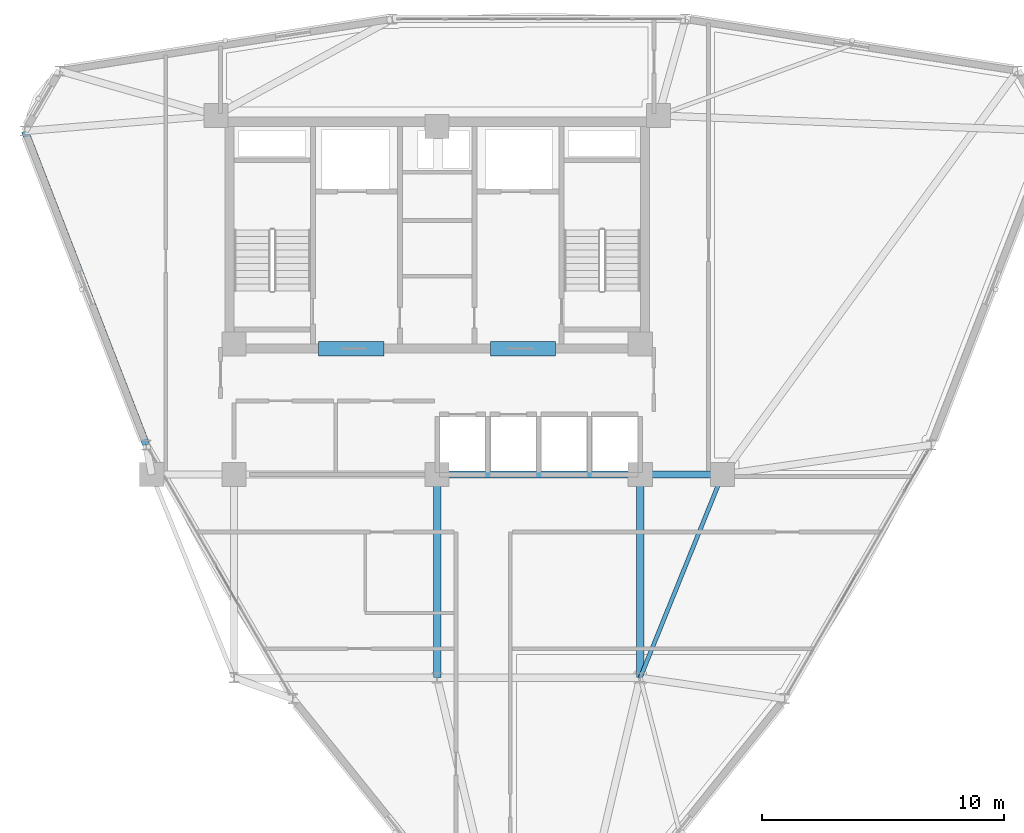
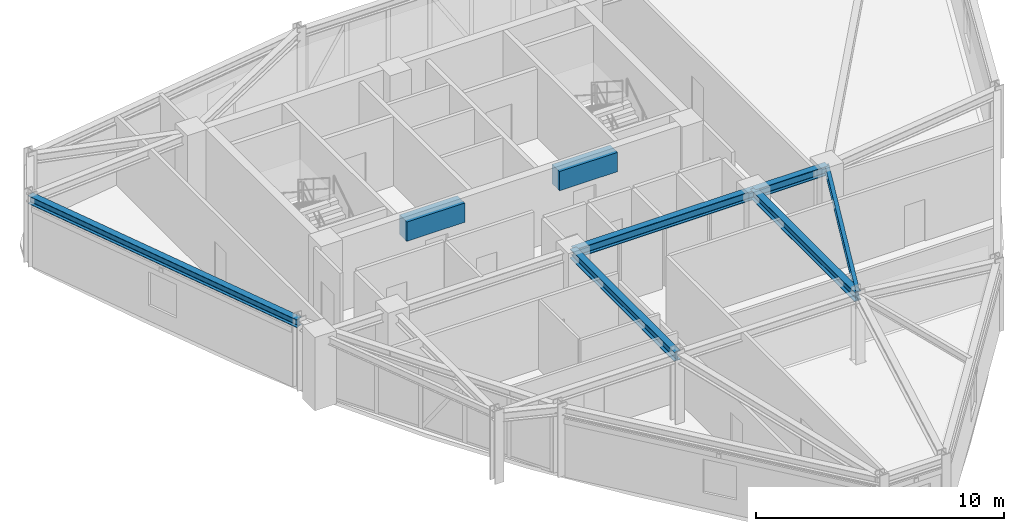
# One storey, part 6 of 16: 8 beams.
"""IFC4 building model written with IfcOpenShell, lengths in metres."""

from ifc_helpers import new_model, si_unit, derived_unit, direction, frame, origin, origin_2d, place, context, subcontext, project, spatial, rectangle, i_section, extrude, source, transform, mapped, material, material_profile, profile_set, type_object, element, save


model = new_model("IFC4")

# Units and contexts
model_context = context("Model", 3, precision=1e-05, world=origin(), true_north=direction((0.0, 1.0)))
body_context = subcontext(model_context, "Body", "Model", "MODEL_VIEW")
ifc_project = project(units=[si_unit("LENGTHUNIT", "METRE"), si_unit("AREAUNIT", "SQUARE_METRE"), si_unit("VOLUMEUNIT", "CUBIC_METRE"), si_unit("PLANEANGLEUNIT", "RADIAN"), si_unit("MASSUNIT", "GRAM", prefix="KILO"), derived_unit("THERMALTRANSMITTANCEUNIT", [(si_unit("POWERUNIT", "WATT"), 1), (si_unit("LENGTHUNIT", "METRE"), -2), (si_unit("THERMODYNAMICTEMPERATUREUNIT", "KELVIN"), -1)])], contexts=[model_context])

# Site, building, storey
site_placement = place(None, origin())
site = spatial("IfcSite", under=ifc_project, at=site_placement, CompositionType="ELEMENT")
building_placement = place(site_placement, origin())
building = spatial("IfcBuilding", under=site, at=building_placement, Name="Korsvarv Bourse and Concert Hall", CompositionType="ELEMENT")
storey_placement = place(building_placement, frame((0.0, 0.0, 231.0)))
storey = spatial("IfcBuildingStorey", under=building, at=storey_placement, Name="L60", CompositionType="ELEMENT", Elevation=231.0)

# Beams
ifc_material_1 = material(Name="Concrete C55/67", Category="concrete")
ifc_material_profile_1 = material_profile(ifc_material_1, rectangle(XDim=0.60009765625, YDim=0.949951171875, at=origin_2d()), Name="RC-BM 600x950")
ifc_profile_set_1 = profile_set([ifc_material_profile_1], Name="Concrete C55/67")
beam_type_1 = type_object("IfcBeamType", Name="BM-CPL", PredefinedType="LINTEL", material=ifc_profile_set_1)
shared_shape_1 = source(origin(), body_context, "Body", "SweptSolid", [
    extrude(rectangle(XDim=0.60009765625, YDim=0.949951171875, at=origin_2d()), origin(), (0.0, 0.0, 1.0), 2.699951171875),
])
for number, where, z_axis, x_axis, name in (
    (1, (31.10009765625, 37.610107421875, 2.93505859375), (1.0, 0.0, 0.0), (0.0, 1.0, 0.0), "L60 Core Coupling Beam West"),
    (2, (38.199951171875, 37.610107421875, 2.93505859375), (1.0, 0.0, 0.0), (0.0, 1.0, 0.0), "L60 Core Coupling Beam East"),
):
    element("IfcBeam", number, at=place(storey_placement, frame(where, z_axis=z_axis, x_axis=x_axis)), inside=storey, type_object=beam_type_1, Name=name, PredefinedType="LINTEL", context=body_context, shape_type="MappedRepresentation", body=[
        mapped(shared_shape_1, transform((0.0, 0.0, 0.0), scale=1.0)),
    ])
ifc_material_2 = material(Name="Steel S355", Category="steel")
ifc_material_profile_2 = material_profile(ifc_material_2, i_section(OverallWidth=0.169921875, OverallDepth=0.360107421875, WebThickness=0.008056640625, FlangeThickness=0.0126953125, FilletRadius=0.01806640625, at=origin_2d()), Name="IPE 360")
ifc_profile_set_2 = profile_set([ifc_material_profile_2], Name="Steel S355")
beam_type_2 = type_object("IfcBeamType", Name="BM-IPE360", PredefinedType="JOIST", material=ifc_profile_set_2)
shared_shape_2 = source(origin(), body_context, "Body", "SweptSolid", [
    extrude(i_section(OverallWidth=0.169921875, OverallDepth=0.360107421875, WebThickness=0.008056640625, FlangeThickness=0.0126953125, FilletRadius=0.01806640625, at=origin_2d()), origin(), (0.0, 0.0, 1.0), 9.06201171875),
])
beam_1_placement = place(storey_placement, frame((47.800048828125, 32.39990234375, 3.22998046875), z_axis=(-0.375210394783, -0.926939674222, 0.0), x_axis=(0.926939674222, -0.375210394783, 0.0)))
element("IfcBeam", 3, at=beam_1_placement, inside=storey, type_object=beam_type_2, Name="L60 beam J-06", PredefinedType="JOIST", context=body_context, shape_type="MappedRepresentation", body=[
    mapped(shared_shape_2, transform((0.0, 0.0, 0.0), scale=1.0)),
])
ifc_material_profile_3 = material_profile(ifc_material_2, i_section(OverallWidth=0.300048828125, OverallDepth=0.449951171875, WebThickness=0.013916015625, FlangeThickness=0.02587890625, FilletRadius=0.02099609375, at=origin_2d()), Name="HEB 450")
ifc_profile_set_3 = profile_set([ifc_material_profile_3], Name="Steel S355")
beam_type_3 = type_object("IfcBeamType", Name="BM-HEB450", PredefinedType="SPANDREL", material=ifc_profile_set_3)
shared_shape_3 = source(origin(), body_context, "Body", "SweptSolid", [
    extrude(i_section(OverallWidth=0.300048828125, OverallDepth=0.449951171875, WebThickness=0.013916015625, FlangeThickness=0.02587890625, FilletRadius=0.02099609375, at=origin_2d()), origin(), (0.0, 0.0, 1.0), 3.400146484375),
])
beam_2_placement = place(storey_placement, frame((44.39990234375, 32.39990234375, 3.18505859375), z_axis=(1.0, 0.0, 0.0), x_axis=(0.0, 1.0, 0.0)))
element("IfcBeam", 4, at=beam_2_placement, inside=storey, type_object=beam_type_3, Name="L60 beam B-08", PredefinedType="SPANDREL", context=body_context, shape_type="MappedRepresentation", body=[
    mapped(shared_shape_3, transform((0.0, 0.0, 0.0), scale=1.0)),
])
shared_shape_4 = source(origin(), body_context, "Body", "SweptSolid", [
    extrude(i_section(OverallWidth=0.300048828125, OverallDepth=0.449951171875, WebThickness=0.013916015625, FlangeThickness=0.02587890625, FilletRadius=0.02099609375, at=origin_2d()), origin(), (0.0, 0.0, 1.0), 8.39990234375),
])
for number, where, z_axis, x_axis, name in (
    (5, (36.0, 32.39990234375, 3.18505859375), (1.0, 0.0, 0.0), (0.0, 1.0, 0.0), "L60 beam B-08"),
    (6, (36.0, 24.0, 3.18505859375), (0.0, 1.0, 0.0), (-1.0, 0.0, 0.0), "L60 beam B-08"),
    (7, (44.39990234375, 24.0, 3.18505859375), (0.0, 1.0, 0.0), (-1.0, 0.0, 0.0), "L60 beam B-08"),
):
    element("IfcBeam", number, at=place(storey_placement, frame(where, z_axis=z_axis, x_axis=x_axis)), inside=storey, type_object=beam_type_3, Name=name, PredefinedType="SPANDREL", context=body_context, shape_type="MappedRepresentation", body=[
        mapped(shared_shape_4, transform((0.0, 0.0, 0.0), scale=1.0)),
    ])
ifc_material_profile_4 = material_profile(ifc_material_2, i_section(OverallWidth=0.300048828125, OverallDepth=0.389892578125, WebThickness=0.010986328125, FlangeThickness=0.01904296875, FilletRadius=0.02099609375, at=origin_2d()), Name="HEA 400")
ifc_profile_set_4 = profile_set([ifc_material_profile_4], Name="Steel S355")
beam_type_4 = type_object("IfcBeamType", Name="BM-HEA400", PredefinedType="BEAM", material=ifc_profile_set_4)
shared_shape_5 = source(origin(), body_context, "Body", "SweptSolid", [
    extrude(i_section(OverallWidth=0.300048828125, OverallDepth=0.389892578125, WebThickness=0.010986328125, FlangeThickness=0.01904296875, FilletRadius=0.02099609375, at=origin_2d()), origin(), (0.0, 0.0, 1.0), 13.913330078125),
])
beam_3_placement = place(storey_placement, frame((18.95263671875, 46.606201171875, 3.215087890625), z_axis=(0.360616494338, -0.932714181307, 0.0), x_axis=(0.932714181307, 0.360616494338, 0.0)))
element("IfcBeam", 8, at=beam_3_placement, inside=storey, type_object=beam_type_4, Name="L60 beam B-11", PredefinedType="BEAM", context=body_context, shape_type="MappedRepresentation", body=[
    mapped(shared_shape_5, transform((0.0, 0.0, 0.0), scale=1.0)),
])

save(model, "model.ifc")
